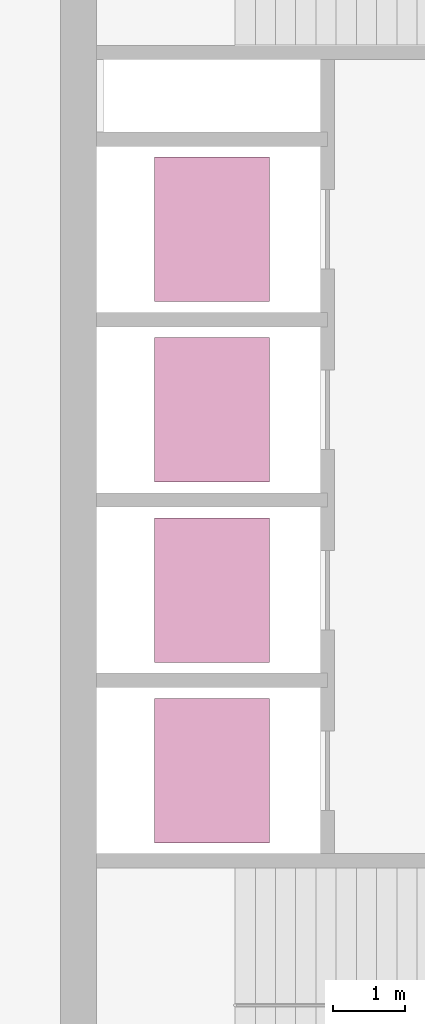
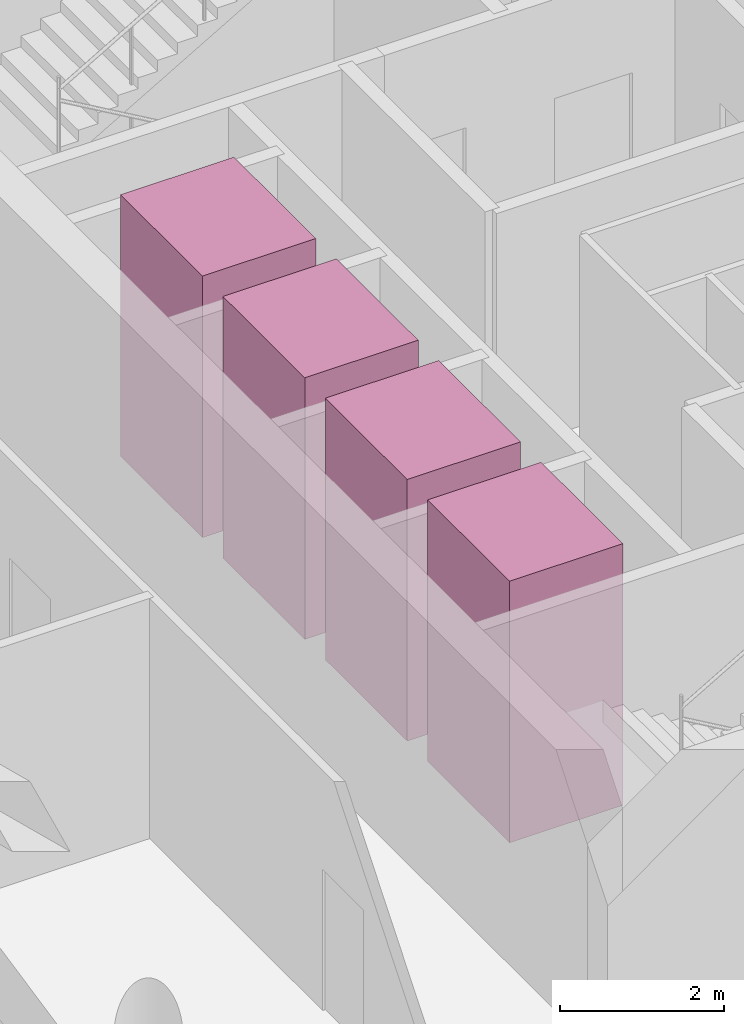
# One storey, part 9 of 9: 4 transport elements.
"""IFC4 building model written with IfcOpenShell, lengths in metres."""

from ifc_helpers import new_model, si_unit, direction, frame, origin, origin_2d, place, context, subcontext, project, spatial, rectangle, extrude, material, type_object, element, save


model = new_model("IFC4")

# Units and contexts
model_context = context("Model", 3, precision=1e-05, world=origin(), true_north=direction((0.0, 1.0)))
body_context = subcontext(model_context, "Body", "Model", "MODEL_VIEW")
ifc_project = project(units=[si_unit("LENGTHUNIT", "METRE"), si_unit("AREAUNIT", "SQUARE_METRE"), si_unit("VOLUMEUNIT", "CUBIC_METRE"), si_unit("PLANEANGLEUNIT", "RADIAN"), si_unit("MASSUNIT", "GRAM", prefix="KILO")], contexts=[model_context])

# Site, building, storey
site_placement = place(None, origin())
site = spatial("IfcSite", under=ifc_project, at=site_placement, CompositionType="ELEMENT")
building_placement = place(site_placement, origin())
building = spatial("IfcBuilding", under=site, at=building_placement, Name="Qaws Garden Tower", CompositionType="ELEMENT")
storey_placement = place(building_placement, frame((0.0, 0.0, 267.0)))
storey = spatial("IfcBuildingStorey", under=building, at=storey_placement, Name="L64", CompositionType="ELEMENT", Elevation=267.0)

# Transport elements
ifc_material = material(Name="Stainless steel 316", Category="steel")
transport_element_type = type_object("IfcTransportElementType", Name="Passenger lift car 2000x1600 1800 kg", PredefinedType="ELEVATOR", material=ifc_material)
for number, where, z_axis, x_axis, name in (
    (1, (10.10009765625, 13.64990234375, 0.0), (0.0, 0.0, 1.0), (1.0, 0.0, 0.0), "HR1"),
    (2, (10.10009765625, 16.14990234375, 0.0), (0.0, 0.0, 1.0), (1.0, 0.0, 0.0), "HR2"),
    (3, (10.10009765625, 18.64990234375, 0.0), (0.0, 0.0, 1.0), (1.0, 0.0, 0.0), "HR3"),
    (4, (10.10009765625, 21.14990234375, 0.0), (0.0, 0.0, 1.0), (1.0, 0.0, 0.0), "HR4"),
):
    element("IfcTransportElement", number, at=place(storey_placement, frame(where, z_axis=z_axis, x_axis=x_axis)), inside=storey, type_object=transport_element_type, Name=name, PredefinedType="ELEVATOR", context=body_context, shape_type="SweptSolid", body=[
        extrude(rectangle(XDim=1.60009765625, YDim=2.0, at=origin_2d()), origin(), (0.0, 0.0, 1.0), 3.89990234375),
    ])

save(model, "model.ifc")
